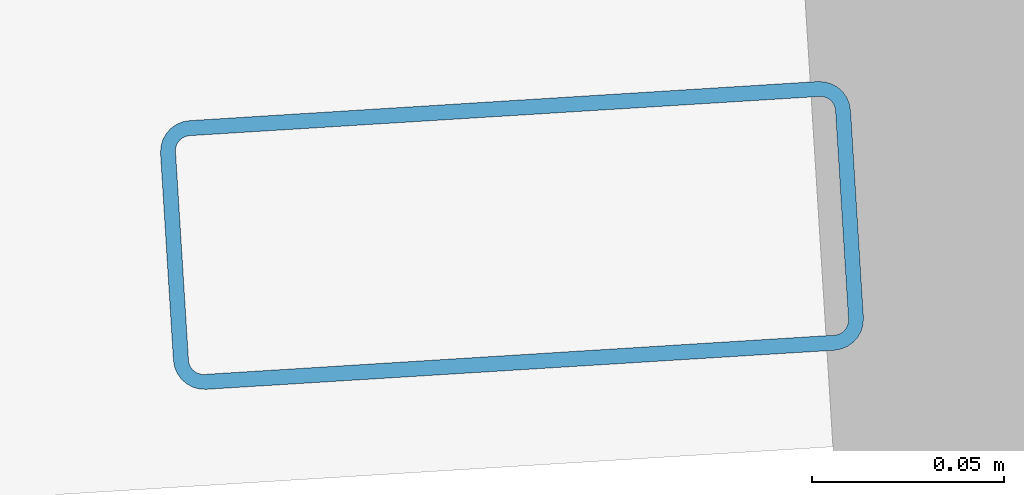
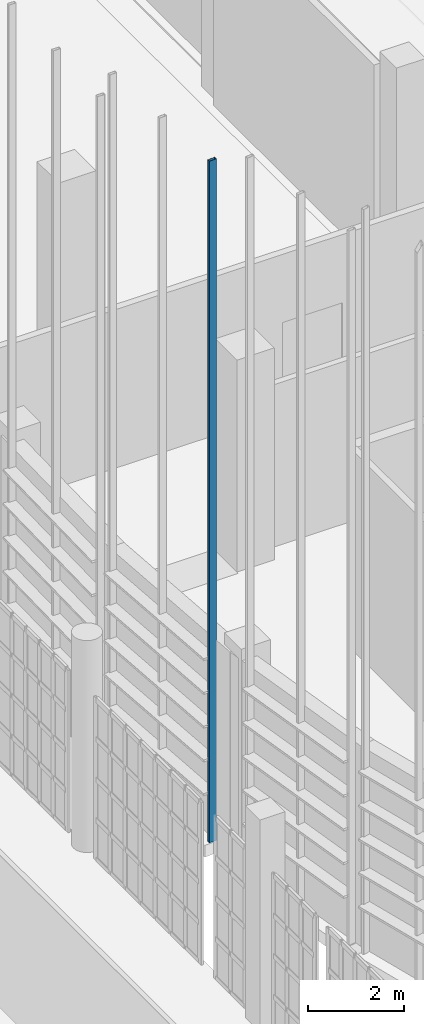
# One storey, part 189 of 372: 1 member.
"""IFC4 building model written with IfcOpenShell, lengths in metres."""

from ifc_helpers import new_model, si_unit, direction, frame, origin, origin_2d, place, context, subcontext, project, spatial, hollow_rectangle, extrude, material, material_profile, profile_set, type_object, element, save


model = new_model("IFC4")

# Units and contexts
model_context = context("Model", 3, precision=1e-05, world=origin(), true_north=direction((0.0, 1.0)))
body_context = subcontext(model_context, "Body", "Model", "MODEL_VIEW")
ifc_project = project(units=[si_unit("LENGTHUNIT", "METRE"), si_unit("AREAUNIT", "SQUARE_METRE"), si_unit("VOLUMEUNIT", "CUBIC_METRE"), si_unit("PLANEANGLEUNIT", "RADIAN"), si_unit("MASSUNIT", "GRAM", prefix="KILO")], contexts=[model_context])

# Site, building, storey
site_placement = place(None, origin())
site = spatial("IfcSite", under=ifc_project, at=site_placement, CompositionType="ELEMENT")
building_placement = place(site_placement, origin())
building = spatial("IfcBuilding", under=site, at=building_placement, Name="Kaelora Sail Theatre", CompositionType="ELEMENT")
storey_placement = place(building_placement, origin())
storey = spatial("IfcBuildingStorey", under=building, at=storey_placement, Name="L00", CompositionType="ELEMENT", Elevation=0.0)

# Member
ifc_material = material(Name="Anodised aluminium 6063-T6", Category="aluminium")
ifc_material_profile = material_profile(ifc_material, hollow_rectangle(XDim=0.070068359375, YDim=0.179931640625, WallThickness=0.00390625, InnerFilletRadius=0.00390625, OuterFilletRadius=0.008056640625, at=origin_2d()), Name="ALU-MULL 70x180x4")
ifc_profile_set = profile_set([ifc_material_profile], Name="Anodised aluminium 6063-T6")
member_type = type_object("IfcMemberType", Name="ARC-MEM-PST-160", PredefinedType="POST", material=ifc_profile_set)
member_placement = place(storey_placement, frame((76.7109375, 52.364990234375, 0.0), z_axis=(0.0, 0.0, 1.0), x_axis=(-0.062093750187, 0.998070321264, 0.0)))
element("IfcMember", 1, at=member_placement, inside=storey, type_object=member_type, Name="Studio Theatre Sail Drum solar louvre vertical support post C19-1", PredefinedType="POST", context=body_context, shape_type="SweptSolid", body=[
    extrude(hollow_rectangle(XDim=0.070068359375, YDim=0.179931640625, WallThickness=0.00390625, InnerFilletRadius=0.00390625, OuterFilletRadius=0.008056640625, at=origin_2d()), origin(), (0.0, 0.0, 1.0), 17.365966796875),
])

save(model, "model.ifc")
